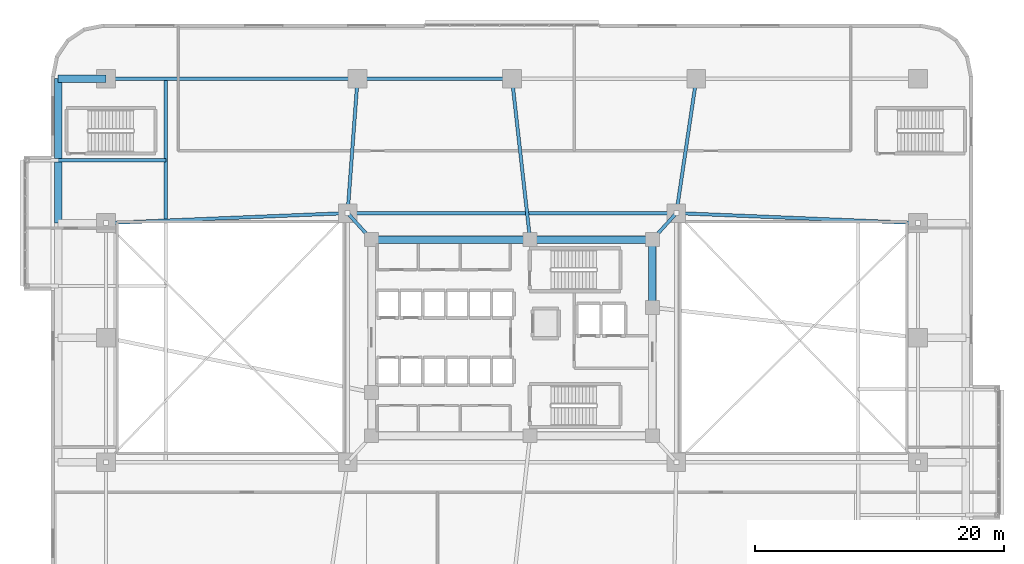
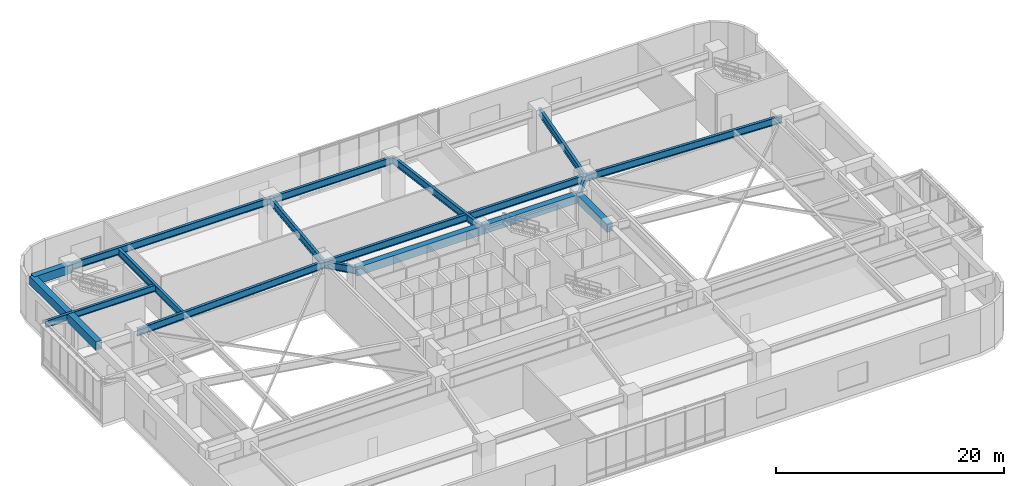
# One storey, part 6 of 24: 17 beams.
"""IFC4 building model written with IfcOpenShell, lengths in metres."""

from ifc_helpers import new_model, si_unit, direction, frame, origin, origin_2d, place, context, subcontext, project, spatial, rectangle, i_section, extrude, material, material_profile, profile_set, type_object, element, save


model = new_model("IFC4")

# Units and contexts
model_context = context("Model", 3, precision=1e-05, world=origin(), true_north=direction((0.0, 1.0)))
body_context = subcontext(model_context, "Body", "Model", "MODEL_VIEW")
ifc_project = project(units=[si_unit("LENGTHUNIT", "METRE"), si_unit("AREAUNIT", "SQUARE_METRE"), si_unit("VOLUMEUNIT", "CUBIC_METRE"), si_unit("PLANEANGLEUNIT", "RADIAN"), si_unit("MASSUNIT", "GRAM", prefix="KILO")], contexts=[model_context])

# Site, building, storey
site_placement = place(None, origin())
site = spatial("IfcSite", under=ifc_project, at=site_placement, CompositionType="ELEMENT")
building_placement = place(site_placement, origin())
building = spatial("IfcBuilding", under=site, at=building_placement, Name="Zulverin Broadcast Headquarters", CompositionType="ELEMENT")
storey_placement = place(building_placement, frame((0.0, 0.0, 5.0)))
storey = spatial("IfcBuildingStorey", under=building, at=storey_placement, Name="L01", CompositionType="ELEMENT", Elevation=5.0)

# Beams
ifc_material_1 = material(Name="Concrete C60/75", Category="concrete")
ifc_material_profile_1 = material_profile(ifc_material_1, rectangle(XDim=0.60009765625, YDim=0.89990234375, at=origin_2d()), Name="Concrete C60/75", Category="concrete")
ifc_profile_set_1 = profile_set([ifc_material_profile_1], Name="Concrete C60/75")
beam_type_1 = type_object("IfcBeamType", Name="BM-CB-600x900", PredefinedType="LINTEL", material=ifc_profile_set_1)
beam_1_placement = place(storey_placement, frame((48.27490234375, 27.6201171875, 4.2099609375), z_axis=(0.0, 1.0, 0.0), x_axis=(-1.0, 0.0, 0.0)))
element("IfcBeam", 1, at=beam_1_placement, inside=storey, type_object=beam_type_1, Name="L01 Core Coupling Girder K04-K05", PredefinedType="LINTEL", context=body_context, shape_type="SweptSolid", body=[
    extrude(rectangle(XDim=0.60009765625, YDim=0.89990234375, at=origin_2d()), origin(), (0.0, 0.0, 1.0), 5.454833984375),
])
beam_2_placement = place(storey_placement, frame((48.27490234375, 33.074951171875, 4.2099609375), z_axis=(-1.0, 0.0, 0.0), x_axis=(0.0, -1.0, 0.0)))
element("IfcBeam", 2, at=beam_2_placement, inside=storey, type_object=beam_type_1, Name="L01 Core Coupling Girder K05-K06", PredefinedType="LINTEL", context=body_context, shape_type="SweptSolid", body=[
    extrude(rectangle(XDim=0.60009765625, YDim=0.89990234375, at=origin_2d()), origin(), (0.0, 0.0, 1.0), 9.824951171875),
])
beam_3_placement = place(storey_placement, frame((38.449951171875, 33.074951171875, 4.2099609375), z_axis=(-1.0, 0.0, 0.0), x_axis=(0.0, -1.0, 0.0)))
element("IfcBeam", 3, at=beam_3_placement, inside=storey, type_object=beam_type_1, Name="L01 Core Coupling Girder K06-K07", PredefinedType="LINTEL", context=body_context, shape_type="SweptSolid", body=[
    extrude(rectangle(XDim=0.60009765625, YDim=0.89990234375, at=origin_2d()), origin(), (0.0, 0.0, 1.0), 12.724853515625),
])
ifc_material_2 = material(Name="Concrete C40/50", Category="concrete")
ifc_material_profile_2 = material_profile(ifc_material_2, rectangle(XDim=0.60009765625, YDim=0.89990234375, at=origin_2d()), Name="Concrete C40/50", Category="concrete")
ifc_profile_set_2 = profile_set([ifc_material_profile_2], Name="Concrete C40/50")
beam_type_2 = type_object("IfcBeamType", Name="BM-RC-600x900", PredefinedType="BEAM", material=ifc_profile_set_2)
beam_4_placement = place(storey_placement, frame((4.39990234375, 46.0, 4.2099609375), z_axis=(-1.0, 0.0, 0.0), x_axis=(0.0, -1.0, 0.0)))
element("IfcBeam", 4, at=beam_4_placement, inside=storey, type_object=beam_type_2, Name="L01 West Perimeter Bracket Girder WBR-4", PredefinedType="BEAM", context=body_context, shape_type="SweptSolid", body=[
    extrude(rectangle(XDim=0.60009765625, YDim=0.89990234375, at=origin_2d()), origin(), (0.0, 0.0, 1.0), 3.849853515625),
])
beam_5_placement = place(storey_placement, frame((0.550048828125, 34.39990234375, 4.2099609375), z_axis=(0.0, 1.0, 0.0), x_axis=(-1.0, 0.0, 0.0)))
element("IfcBeam", 5, at=beam_5_placement, inside=storey, type_object=beam_type_2, Name="L01 West Edge Spandrel Girder WEG-3", PredefinedType="BEAM", context=body_context, shape_type="SweptSolid", body=[
    extrude(rectangle(XDim=0.60009765625, YDim=0.89990234375, at=origin_2d()), origin(), (0.0, 0.0, 1.0), 11.60009765625),
])
ifc_material_3 = material(Name="Structural steel S355JR", Category="steel")
ifc_material_profile_3 = material_profile(ifc_material_3, i_section(OverallWidth=0.255859375, OverallDepth=0.69287109375, WebThickness=0.014404296875, FlangeThickness=0.023681640625, at=origin_2d()), Name="Structural steel S355JR", Category="steel")
ifc_profile_set_3 = profile_set([ifc_material_profile_3], Name="Structural steel S355JR")
beam_type_3 = type_object("IfcBeamType", Name="BM-UB-686", PredefinedType="BEAM", material=ifc_profile_set_3)
beam_6_placement = place(storey_placement, frame((9.199951171875, 39.449951171875, 4.3134765625), z_axis=(-1.0, 0.0, 0.0), x_axis=(0.0, -1.0, 0.0)))
element("IfcBeam", 6, at=beam_6_placement, inside=storey, type_object=beam_type_3, Name="L01 Studio Box Cantilever Girder SBOX_POD_LOWER_W1-2", PredefinedType="BEAM", context=body_context, shape_type="SweptSolid", body=[
    extrude(i_section(OverallWidth=0.255859375, OverallDepth=0.69287109375, WebThickness=0.014404296875, FlangeThickness=0.023681640625, at=origin_2d()), origin(), (0.0, 0.0, 1.0), 11.14990234375),
])
ifc_material_profile_4 = material_profile(ifc_material_3, i_section(OverallWidth=0.26806640625, OverallDepth=0.769775390625, WebThickness=0.015625, FlangeThickness=0.025390625, at=origin_2d()), Name="Structural steel S355JR", Category="steel")
ifc_profile_set_4 = profile_set([ifc_material_profile_4], Name="Structural steel S355JR")
beam_type_4 = type_object("IfcBeamType", Name="BM-UB-762", PredefinedType="BEAM", material=ifc_profile_set_4)
beam_7_placement = place(storey_placement, frame((37.0, 46.0, 4.275146484375), z_axis=(-1.0, 0.0, 0.0), x_axis=(0.0, -1.0, 0.0)))
element("IfcBeam", 7, at=beam_7_placement, inside=storey, type_object=beam_type_4, Name="L01 Podium Primary Girder P08-P07", PredefinedType="BEAM", context=body_context, shape_type="SweptSolid", body=[
    extrude(i_section(OverallWidth=0.26806640625, OverallDepth=0.769775390625, WebThickness=0.015625, FlangeThickness=0.025390625, at=origin_2d()), origin(), (0.0, 0.0, 1.0), 12.39990234375),
])
beam_8_placement = place(storey_placement, frame((24.60009765625, 46.0, 4.275146484375), z_axis=(-1.0, 0.0, 0.0), x_axis=(0.0, -1.0, 0.0)))
element("IfcBeam", 8, at=beam_8_placement, inside=storey, type_object=beam_type_4, Name="L01 Podium Primary Girder P07-P06", PredefinedType="BEAM", context=body_context, shape_type="SweptSolid", body=[
    extrude(i_section(OverallWidth=0.26806640625, OverallDepth=0.769775390625, WebThickness=0.015625, FlangeThickness=0.025390625, at=origin_2d()), origin(), (0.0, 0.0, 1.0), 20.2001953125),
])
for number, where, z_axis, x_axis, name in (
    (9, (50.199951171875, 35.199951171875, 4.275146484375), (-0.671379160881, -0.741114041383, 0.0), (0.741114041383, -0.671379160881, 0.0), "L01 Podium Primary Girder M03-K05"),
    (10, (23.800048828125, 35.199951171875, 4.275146484375), (0.671379160881, -0.741114041383, 0.0), (0.741114041383, 0.671379160881, 0.0), "L01 Podium Primary Girder M04-K07"),
):
    element("IfcBeam", number, at=place(storey_placement, frame(where, z_axis=z_axis, x_axis=x_axis)), inside=storey, type_object=beam_type_4, Name=name, PredefinedType="BEAM", context=body_context, shape_type="SweptSolid", body=[
        extrude(i_section(OverallWidth=0.26806640625, OverallDepth=0.769775390625, WebThickness=0.015625, FlangeThickness=0.025390625, at=origin_2d()), origin(), (0.0, 0.0, 1.0), 2.8671875),
    ])
beam_9_placement = place(storey_placement, frame((50.199951171875, 35.199951171875, 4.275146484375), z_axis=(-1.0, 0.0, 0.0), x_axis=(0.0, -1.0, 0.0)))
element("IfcBeam", 11, at=beam_9_placement, inside=storey, type_object=beam_type_4, Name="L01 Podium Primary Girder M03-M04", PredefinedType="BEAM", context=body_context, shape_type="SweptSolid", body=[
    extrude(i_section(OverallWidth=0.26806640625, OverallDepth=0.769775390625, WebThickness=0.015625, FlangeThickness=0.025390625, at=origin_2d()), origin(), (0.0, 0.0, 1.0), 26.39990234375),
])
beam_10_placement = place(storey_placement, frame((37.0, 46.0, 4.275146484375), z_axis=(0.111482194079, -0.993766431514, 0.0), x_axis=(0.993766431514, 0.111482194079, 0.0)))
element("IfcBeam", 12, at=beam_10_placement, inside=storey, type_object=beam_type_4, Name="L01 Podium Primary Girder P08-K06", PredefinedType="BEAM", context=body_context, shape_type="SweptSolid", body=[
    extrude(i_section(OverallWidth=0.26806640625, OverallDepth=0.769775390625, WebThickness=0.015625, FlangeThickness=0.025390625, at=origin_2d()), origin(), (0.0, 0.0, 1.0), 13.006103515625),
])
beam_11_placement = place(storey_placement, frame((24.60009765625, 46.0, 4.275146484375), z_axis=(-0.0738758375, -0.997267446894, 0.0), x_axis=(0.997267446894, -0.0738758375, 0.0)))
element("IfcBeam", 13, at=beam_11_placement, inside=storey, type_object=beam_type_4, Name="L01 Podium Primary Girder P07-M04", PredefinedType="BEAM", context=body_context, shape_type="SweptSolid", body=[
    extrude(i_section(OverallWidth=0.26806640625, OverallDepth=0.769775390625, WebThickness=0.015625, FlangeThickness=0.025390625, at=origin_2d()), origin(), (0.0, 0.0, 1.0), 10.82958984375),
])
beam_12_placement = place(storey_placement, frame((51.800048828125, 46.0, 4.275146484375), z_axis=(-0.146556765224, -0.989202261707, 0.0), x_axis=(0.989202261707, -0.146556765224, 0.0)))
element("IfcBeam", 14, at=beam_12_placement, inside=storey, type_object=beam_type_4, Name="L01 Podium Primary Girder P09-M03", PredefinedType="BEAM", context=body_context, shape_type="SweptSolid", body=[
    extrude(i_section(OverallWidth=0.26806640625, OverallDepth=0.769775390625, WebThickness=0.015625, FlangeThickness=0.025390625, at=origin_2d()), origin(), (0.0, 0.0, 1.0), 10.91796875),
])
beam_13_placement = place(storey_placement, frame((4.39990234375, 34.39990234375, 4.275146484375), z_axis=(0.999150742371, 0.041204296122, 0.0), x_axis=(-0.041204296122, 0.999150742371, 0.0)))
element("IfcBeam", 15, at=beam_13_placement, inside=storey, type_object=beam_type_4, Name="L01 West Studio North Tie Girder", PredefinedType="BEAM", context=body_context, shape_type="SweptSolid", body=[
    extrude(i_section(OverallWidth=0.26806640625, OverallDepth=0.769775390625, WebThickness=0.015625, FlangeThickness=0.025390625, at=origin_2d()), origin(), (0.0, 0.0, 1.0), 19.416748046875),
])
beam_14_placement = place(storey_placement, frame((9.199951171875, 34.73193359375, 4.275146484375), z_axis=(0.0, 1.0, 0.0), x_axis=(-1.0, 0.0, 0.0)))
element("IfcBeam", 16, at=beam_14_placement, inside=storey, type_object=beam_type_4, Name="L01 West Back-Span Anchor Beam WSBA-2", PredefinedType="BEAM", context=body_context, shape_type="SweptSolid", body=[
    extrude(i_section(OverallWidth=0.26806640625, OverallDepth=0.769775390625, WebThickness=0.015625, FlangeThickness=0.025390625, at=origin_2d()), origin(), (0.0, 0.0, 1.0), 11.134033203125),
])
beam_15_placement = place(storey_placement, frame((50.199951171875, 35.199951171875, 4.275146484375), z_axis=(0.999150742371, -0.041204296122, 0.0), x_axis=(0.041204296122, 0.999150742371, 0.0)))
element("IfcBeam", 17, at=beam_15_placement, inside=storey, type_object=beam_type_4, Name="L01 East Studio North Tie Girder", PredefinedType="BEAM", context=body_context, shape_type="SweptSolid", body=[
    extrude(i_section(OverallWidth=0.26806640625, OverallDepth=0.769775390625, WebThickness=0.015625, FlangeThickness=0.025390625, at=origin_2d()), origin(), (0.0, 0.0, 1.0), 19.416748046875),
])

save(model, "model.ifc")
